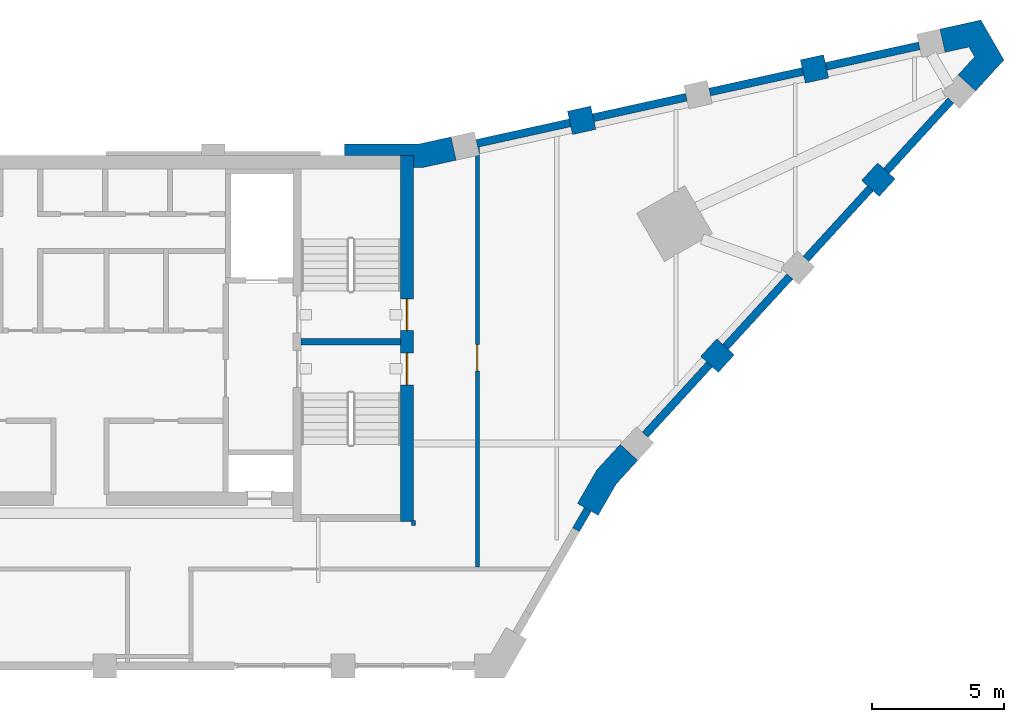
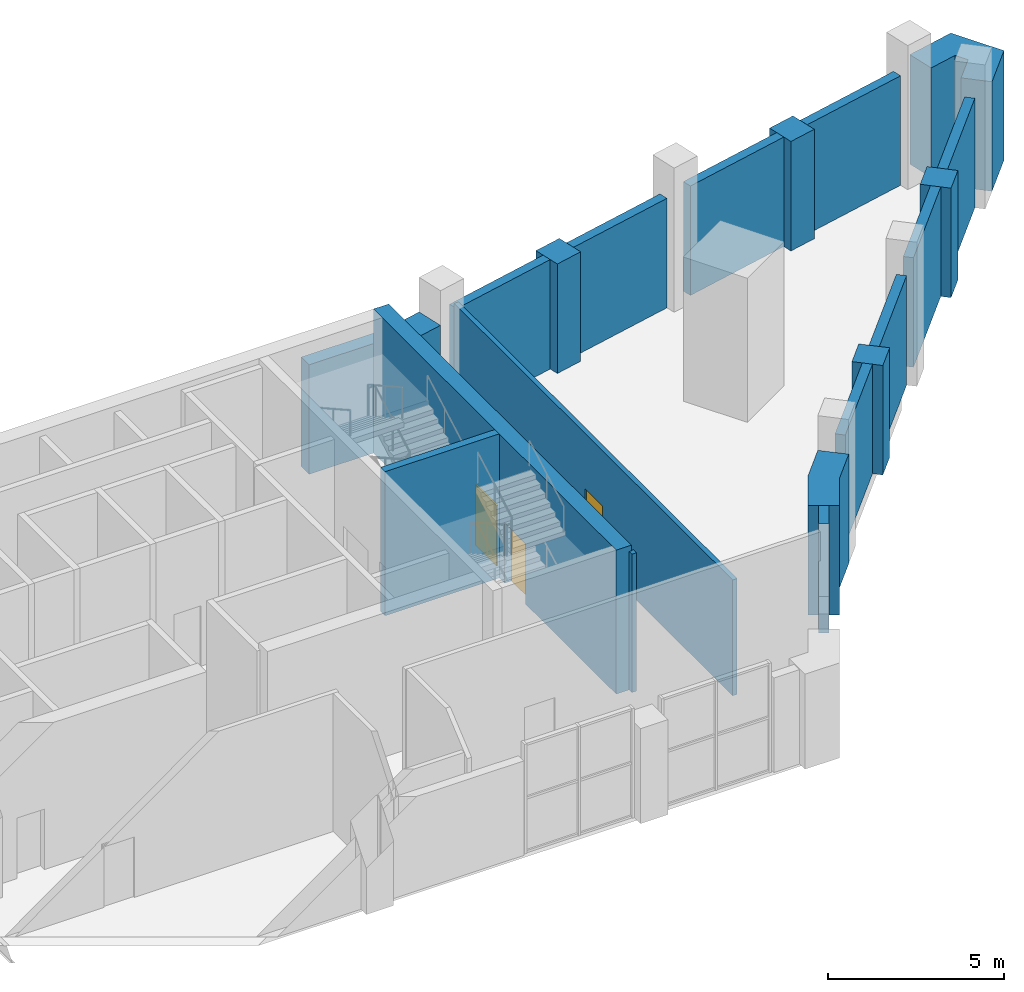
# One storey, part 6 of 9: 20 walls, 3 doors, 3 openings.
"""IFC4 building model written with IfcOpenShell, lengths in metres."""

from ifc_helpers import new_model, si_unit, direction, frame, frame_2d, origin, place, context, subcontext, project, spatial, polyline, rectangle, outline, extrude, material, layer, layer_set, type_object, element, fill, save


model = new_model("IFC4")

# Units and contexts
model_context = context("Model", 3, precision=1e-05, world=origin(), true_north=direction((0.0, 1.0)))
body_context = subcontext(model_context, "Body", "Model", "MODEL_VIEW")
ifc_project = project(units=[si_unit("LENGTHUNIT", "METRE"), si_unit("AREAUNIT", "SQUARE_METRE"), si_unit("VOLUMEUNIT", "CUBIC_METRE"), si_unit("PLANEANGLEUNIT", "RADIAN"), si_unit("MASSUNIT", "GRAM", prefix="KILO")], contexts=[model_context])

# Site, building, storey
site_placement = place(None, origin())
site = spatial("IfcSite", under=ifc_project, at=site_placement, CompositionType="ELEMENT")
building_placement = place(site_placement, origin())
building = spatial("IfcBuilding", under=site, at=building_placement, Name="Calabash Gate Tower", CompositionType="ELEMENT")
storey_placement = place(building_placement, frame((0.0, 0.0, 330.5)))
storey = spatial("IfcBuildingStorey", under=building, at=storey_placement, Name="L77", CompositionType="ELEMENT", Elevation=330.5)

# Walls
ifc_material_1 = material(Name="Terracotta brick masonry, exposed face", Category="masonry")
ifc_layer_1 = layer(ifc_material_1, 0.89990234375)
ifc_layer_set_1 = layer_set([ifc_layer_1], Name="Brick end wall 900")
wall_type_1 = type_object("IfcWallType", Name="Brick end wall 900", PredefinedType="SOLIDWALL", material=ifc_layer_set_1)
wall_1_placement = place(storey_placement, frame((23.763671875, 11.17333984375, 0.0), z_axis=(0.0, 0.0, 1.0), x_axis=(0.674802966049, 0.737997938352, 0.0)))
element("IfcWall", 1, at=wall_1_placement, inside=storey, type_object=wall_type_1, Name="Brick pier L77 crown3.1", PredefinedType="SOLIDWALL", context=body_context, shape_type="SweptSolid", body=[
    extrude(rectangle(XDim=0.900146484375, YDim=0.89990234375, at=frame_2d((0.4501953125, 0.0))), origin(), (0.0, 0.0, 1.0), 3.800048828125),
])
wall_2_placement = place(storey_placement, frame((30.44482421875, 18.47900390625, 0.0), z_axis=(0.0, 0.0, 1.0), x_axis=(-0.674938051731, -0.737874397391, 0.0)))
element("IfcWall", 2, at=wall_2_placement, inside=storey, type_object=wall_type_1, Name="Brick pier L77 crown3.3", PredefinedType="SOLIDWALL", context=body_context, shape_type="SweptSolid", body=[
    extrude(rectangle(XDim=0.89990234375, YDim=0.89990234375, at=frame_2d((0.449951171875, 0.0))), origin(), (0.0, 0.0, 1.0), 3.800048828125),
])
for number, where, z_axis, x_axis, name in (
    (3, (28.16650390625, 22.42529296875, 0.0), (0.0, 0.0, 1.0), (-0.976473402733, -0.215637876437, 0.0), "Brick pier L77 crown5.1"),
    (4, (18.4990234375, 20.2919921875, 0.0), (0.0, 0.0, 1.0), (0.976473402733, 0.215637876437, 0.0), "Brick pier L77 crown5.3"),
):
    element("IfcWall", number, at=place(storey_placement, frame(where, z_axis=z_axis, x_axis=x_axis)), inside=storey, type_object=wall_type_1, Name=name, PredefinedType="SOLIDWALL", context=body_context, shape_type="SweptSolid", body=[
        extrude(rectangle(XDim=0.900146484375, YDim=0.89990234375, at=frame_2d((0.4501953125, 0.0))), origin(), (0.0, 0.0, 1.0), 3.800048828125),
    ])
wall_3_placement = place(storey_placement, origin())
element("IfcWall", 5, at=wall_3_placement, inside=storey, type_object=wall_type_1, Name="Brick end wall L77 3", PredefinedType="SOLIDWALL", context=body_context, shape_type="SweptSolid", body=[
    extrude(outline(polyline([(18.78271484375, 5.925048828125), (19.562255859375, 5.47509765625), (20.24658203125, 6.66064453125), (21.058837890625, 7.548828125), (20.394775390625, 8.15625), (19.516357421875, 7.19580078125), (18.78271484375, 5.925048828125)])), origin(), (0.0, 0.0, 1.0), 3.800048828125),
])
wall_4_placement = place(storey_placement, origin())
element("IfcWall", 6, at=wall_4_placement, inside=storey, type_object=wall_type_1, Name="Brick end wall L77 4", PredefinedType="SOLIDWALL", context=body_context, shape_type="SweptSolid", body=[
    extrude(outline(polyline([(33.813720703125, 21.496337890625), (34.881591796875, 22.663818359375), (34.0087890625, 24.175048828125), (32.4638671875, 23.834228515625), (32.65771484375, 22.955322265625), (33.55908203125, 23.154296875), (33.7724609375, 22.78466796875), (33.149658203125, 22.103759765625), (33.813720703125, 21.496337890625)])), origin(), (0.0, 0.0, 1.0), 3.800048828125),
])
wall_5_placement = place(storey_placement, origin())
element("IfcWall", 7, at=wall_5_placement, inside=storey, type_object=wall_type_1, Name="Brick end wall L77 5", PredefinedType="SOLIDWALL", context=body_context, shape_type="SweptSolid", body=[
    extrude(outline(polyline([(14.007568359375, 19.761474609375), (12.83251953125, 19.50244140625), (9.984375, 19.50244140625), (9.984375, 19.052490234375), (12.60009765625, 19.052490234375), (12.60009765625, 18.6025390625), (12.930419921875, 18.6025390625), (14.201416015625, 18.883056640625), (14.007568359375, 19.761474609375)])), origin(), (0.0, 0.0, 1.0), 3.800048828125),
])
ifc_material_2 = material(Name="Concrete C60/75", Category="concrete")
ifc_layer_2 = layer(ifc_material_2, 0.25)
ifc_layer_set_2 = layer_set([ifc_layer_2], Name="Core wall 250 Concrete C60/75")
wall_type_2 = type_object("IfcWallType", Name="Core wall 250 Concrete C60/75", PredefinedType="SHEAR", material=ifc_layer_set_2)
wall_6_placement = place(storey_placement, frame((8.35009765625, 12.027587890625, 0.0), z_axis=(0.0, 0.0, 1.0), x_axis=(1.0, 0.0, 0.0)))
element("IfcWall", 8, at=wall_6_placement, inside=storey, type_object=wall_type_2, Name="Core wall C-MIDE L77", PredefinedType="SHEAR", context=body_context, shape_type="SweptSolid", body=[
    extrude(rectangle(XDim=3.75, YDim=0.25, at=frame_2d((1.875, 0.0))), origin(), (0.0, 0.0, 1.0), 5.0),
])

# Wall, openings, doors
ifc_material_3 = material(Name="Concrete C60/75", Category="concrete")
ifc_layer_3 = layer(ifc_material_3, 0.5)
ifc_layer_set_3 = layer_set([ifc_layer_3], Name="Core wall 500 Concrete C60/75")
wall_type_3 = type_object("IfcWallType", Name="Core wall 500 Concrete C60/75", PredefinedType="SHEAR", material=ifc_layer_set_3)
wall_7_placement = place(storey_placement, frame((12.35009765625, 5.252685546875, 0.0), z_axis=(0.0, 0.0, 1.0), x_axis=(0.0, 1.0, 0.0)))
wall_7 = element("IfcWall", 9, at=wall_7_placement, inside=storey, type_object=wall_type_3, Name="Core wall C-COLE L77", PredefinedType="SHEAR", context=body_context, shape_type="SweptSolid", body=[
    extrude(rectangle(XDim=13.7998046875, YDim=0.5, at=frame_2d((6.89990234375, 0.0))), origin(), (0.0, 0.0, 1.0), 5.0),
])
opening_1_placement = place(wall_7_placement, frame((7.199951171875, 0.0, 0.0)))
opening_1 = element("IfcOpeningElement", 10, at=opening_1_placement, cuts=wall_7, Name="Opening L77-007", PredefinedType="OPENING", context=body_context, shape_type="SweptSolid", body=[
    extrude(rectangle(XDim=1.199951171875, YDim=2.10009765625, at=frame_2d((0.60009765625, 1.050048828125))), frame((0.0, 0.260009765625, 0.0), z_axis=(0.0, -1.0, 0.0), x_axis=(1.0, 0.0, 0.0)), (0.0, 0.0, 1.0), 0.52001953125),
])
opening_2_placement = place(wall_7_placement, frame((5.14990234375, 0.0, 0.0)))
opening_2 = element("IfcOpeningElement", 11, at=opening_2_placement, cuts=wall_7, Name="Opening L77-008", PredefinedType="OPENING", context=body_context, shape_type="SweptSolid", body=[
    extrude(rectangle(XDim=1.199951171875, YDim=2.10009765625, at=frame_2d((0.60009765625, 1.050048828125))), frame((0.0, 0.260009765625, 0.0), z_axis=(0.0, -1.0, 0.0), x_axis=(1.0, 0.0, 0.0)), (0.0, 0.0, 1.0), 0.52001953125),
])
ifc_material_4 = material(Name="Steel fire door set with fire-resisting glazing", Category="steel")
door_type_1 = type_object("IfcDoorType", Name="Fire door D10 1200x2100 FD90", OperationType="NOTDEFINED", PredefinedType="DOOR", material=ifc_material_4)
door_1_placement = place(opening_1_placement, origin())
door_1 = element("IfcDoor", 12, at=door_1_placement, inside=storey, type_object=door_type_1, Name="Exit stair door ST3", OperationType="SINGLE_SWING_RIGHT", OverallHeight=2.10009765625, OverallWidth=1.199951171875, PredefinedType="DOOR", context=body_context, shape_type="SweptSolid", body=[
    extrude(rectangle(XDim=1.199951171875, YDim=2.10009765625, at=frame_2d((0.60009765625, 1.050048828125))), frame((0.0, 0.02490234375, 0.0), z_axis=(0.0, -1.0, 0.0), x_axis=(1.0, 0.0, 0.0)), (0.0, 0.0, 1.0), 0.050048828125),
])
fill(opening_1, door_1)
door_2_placement = place(opening_2_placement, origin())
door_2 = element("IfcDoor", 13, at=door_2_placement, inside=storey, type_object=door_type_1, Name="Exit stair door ST4", OperationType="SINGLE_SWING_LEFT", OverallHeight=2.10009765625, OverallWidth=1.199951171875, PredefinedType="DOOR", context=body_context, shape_type="SweptSolid", body=[
    extrude(rectangle(XDim=1.199951171875, YDim=2.10009765625, at=frame_2d((0.60009765625, 1.050048828125))), frame((0.0, 0.02490234375, 0.0), z_axis=(0.0, -1.0, 0.0), x_axis=(1.0, 0.0, 0.0)), (0.0, 0.0, 1.0), 0.050048828125),
])
fill(opening_2, door_2)

# Wall, opening, door
ifc_material_5 = material(Name="Gypsum board on steel studs, mineral wool", Category="steel")
ifc_layer_4 = layer(ifc_material_5, 0.14990234375)
ifc_layer_set_4 = layer_set([ifc_layer_4], Name="Partition 150 gypsum board")
wall_type_4 = type_object("IfcWallType", Name="Partition 150 gypsum board", PredefinedType="PARTITIONING", material=ifc_layer_set_4)
wall_8_placement = place(storey_placement, frame((15.0, 3.527587890625, 0.0), z_axis=(0.0, 0.0, 1.0), x_axis=(0.0, 1.0, 0.0)))
wall_8 = element("IfcWall", 14, at=wall_8_placement, inside=storey, type_object=wall_type_4, Name="Partition", PredefinedType="PARTITIONING", context=body_context, shape_type="SweptSolid", body=[
    extrude(rectangle(XDim=15.830322265625, YDim=0.14990234375, at=frame_2d((7.9150390625, 0.0))), origin(), (0.0, 0.0, 1.0), 4.02001953125),
])
opening_3_placement = place(wall_8_placement, frame((7.392333984375, 0.0, 0.0)))
opening_3 = element("IfcOpeningElement", 15, at=opening_3_placement, cuts=wall_8, Name="Opening L77-026", PredefinedType="OPENING", context=body_context, shape_type="SweptSolid", body=[
    extrude(rectangle(XDim=1.0, YDim=2.10009765625, at=frame_2d((0.5, 1.050048828125))), frame((0.0, 0.0849609375, 0.0), z_axis=(0.0, -1.0, 0.0), x_axis=(1.0, 0.0, 0.0)), (0.0, 0.0, 1.0), 0.169921875),
])
ifc_material_6 = material(Name="Steel fire door set with fire-resisting glazing", Category="steel")
door_type_2 = type_object("IfcDoorType", Name="Fire door D11 1000x2100 FD60", OperationType="NOTDEFINED", PredefinedType="DOOR", material=ifc_material_6)
door_3_placement = place(opening_3_placement, origin())
door_3 = element("IfcDoor", 16, at=door_3_placement, inside=storey, type_object=door_type_2, Name="Plant BMS Room door", OperationType="SINGLE_SWING_LEFT", OverallHeight=2.10009765625, OverallWidth=1.0, PredefinedType="DOOR", context=body_context, shape_type="SweptSolid", body=[
    extrude(rectangle(XDim=1.0, YDim=2.10009765625, at=frame_2d((0.5, 1.050048828125))), frame((0.0, 0.02490234375, 0.0), z_axis=(0.0, -1.0, 0.0), x_axis=(1.0, 0.0, 0.0)), (0.0, 0.0, 1.0), 0.050048828125),
])
fill(opening_3, door_3)

# Walls
wall_9_placement = place(storey_placement, frame((12.60009765625, 5.09765625, 0.0), z_axis=(0.0, 0.0, 1.0), x_axis=(0.0, 1.0, 0.0)))
element("IfcWall", 17, at=wall_9_placement, inside=storey, type_object=wall_type_4, Name="Partition", PredefinedType="PARTITIONING", context=body_context, shape_type="SweptSolid", body=[
    extrude(rectangle(XDim=0.179931640625, YDim=0.14990234375, at=frame_2d((0.08984375, 0.0))), origin(), (0.0, 0.0, 1.0), 4.800048828125),
])
ifc_material_7 = material(Name="Terracotta louvre blades in an aluminium frame", Category="masonry")
ifc_layer_5 = layer(ifc_material_7, 0.300048828125)
ifc_layer_set_5 = layer_set([ifc_layer_5], Name="Terracotta louvre wall 300")
wall_type_5 = type_object("IfcWallType", Name="Terracotta louvre wall 300", PredefinedType="ELEMENTEDWALL", material=ifc_layer_set_5)
wall_10_placement = place(storey_placement, origin())
element("IfcWall", 18, at=wall_10_placement, inside=storey, type_object=wall_type_5, Name="LOUVRE L77 crown3.1", PredefinedType="ELEMENTEDWALL", context=body_context, shape_type="SweptSolid", body=[
    extrude(outline(polyline([(23.653076171875, 11.274658203125), (21.224853515625, 8.619384765625), (21.4462890625, 8.4169921875), (23.874267578125, 11.072265625), (23.653076171875, 11.274658203125)])), origin(), (0.0, 0.0, 1.0), 3.800048828125),
])
wall_11_placement = place(storey_placement, frame((24.37109375, 11.837646484375, 0.0), z_axis=(0.0, 0.0, 1.0), x_axis=(0.674867348758, 0.737939063595, 0.0)))
element("IfcWall", 19, at=wall_11_placement, inside=storey, type_object=wall_type_5, Name="LOUVRE L77 crown3.2", PredefinedType="ELEMENTEDWALL", context=body_context, shape_type="SweptSolid", body=[
    extrude(rectangle(XDim=3.599853515625, YDim=0.300048828125, at=frame_2d((1.7998046875, 0.0))), origin(), (0.0, 0.0, 1.0), 3.800048828125),
])
for number, where, z_axis, x_axis, name in (
    (20, (27.407958984375, 15.158203125, 0.0), (0.0, 0.0, 1.0), (0.674833575111, 0.737969949187, 0.0), "LOUVRE L77 crown3.3"),
    (21, (30.44482421875, 18.47900390625, 0.0), (0.0, 0.0, 1.0), (0.674833575111, 0.737969949187, 0.0), "LOUVRE L77 crown3.4"),
):
    element("IfcWall", number, at=place(storey_placement, frame(where, z_axis=z_axis, x_axis=x_axis)), inside=storey, type_object=wall_type_5, Name=name, PredefinedType="ELEMENTEDWALL", context=body_context, shape_type="SweptSolid", body=[
        extrude(rectangle(XDim=3.60009765625, YDim=0.300048828125, at=frame_2d((1.800048828125, 0.0))), origin(), (0.0, 0.0, 1.0), 3.800048828125),
    ])
wall_12_placement = place(storey_placement, frame((31.681884765625, 23.200927734375, 0.0), z_axis=(0.0, 0.0, 1.0), x_axis=(-0.976513072969, -0.215458159096, 0.0)))
element("IfcWall", 22, at=wall_12_placement, inside=storey, type_object=wall_type_5, Name="LOUVRE L77 crown5.1", PredefinedType="ELEMENTEDWALL", context=body_context, shape_type="SweptSolid", body=[
    extrude(rectangle(XDim=3.599853515625, YDim=0.300048828125, at=frame_2d((1.7998046875, 0.0))), origin(), (0.0, 0.0, 1.0), 3.800048828125),
])
wall_13_placement = place(storey_placement, origin())
element("IfcWall", 23, at=wall_13_placement, inside=storey, type_object=wall_type_5, Name="LOUVRE L77 crown5.2", PredefinedType="ELEMENTEDWALL", context=body_context, shape_type="SweptSolid", body=[
    extrude(outline(polyline([(27.25537109375, 22.377685546875), (23.740234375, 21.60205078125), (23.804931640625, 21.30908203125), (27.31982421875, 22.084716796875), (27.25537109375, 22.377685546875)])), origin(), (0.0, 0.0, 1.0), 3.800048828125),
])
for number, where, z_axis, x_axis, name in (
    (24, (22.893310546875, 21.26171875, 0.0), (0.0, 0.0, 1.0), (-0.976513072969, -0.215458159096, 0.0), "LOUVRE L77 crown5.3"),
    (25, (18.4990234375, 20.2919921875, 0.0), (0.0, 0.0, 1.0), (-0.976513072969, -0.215458159096, 0.0), "LOUVRE L77 crown5.4"),
):
    element("IfcWall", number, at=place(storey_placement, frame(where, z_axis=z_axis, x_axis=x_axis)), inside=storey, type_object=wall_type_5, Name=name, PredefinedType="ELEMENTEDWALL", context=body_context, shape_type="SweptSolid", body=[
        extrude(rectangle(XDim=3.599853515625, YDim=0.300048828125, at=frame_2d((1.7998046875, 0.0))), origin(), (0.0, 0.0, 1.0), 3.800048828125),
    ])
wall_14_placement = place(storey_placement, frame((18.728515625, 4.93115234375, 0.0), z_axis=(0.0, 0.0, 1.0), x_axis=(0.499881837328, 0.866093614288, 0.0)))
element("IfcWall", 26, at=wall_14_placement, inside=storey, type_object=wall_type_5, Name="LOUVRE L77 edge crown2.c9", PredefinedType="ELEMENTEDWALL", context=body_context, shape_type="SweptSolid", body=[
    extrude(rectangle(XDim=0.884033203125, YDim=0.300048828125, at=frame_2d((0.44189453125, 0.0))), origin(), (0.0, 0.0, 1.0), 3.800048828125),
])

save(model, "model.ifc")
